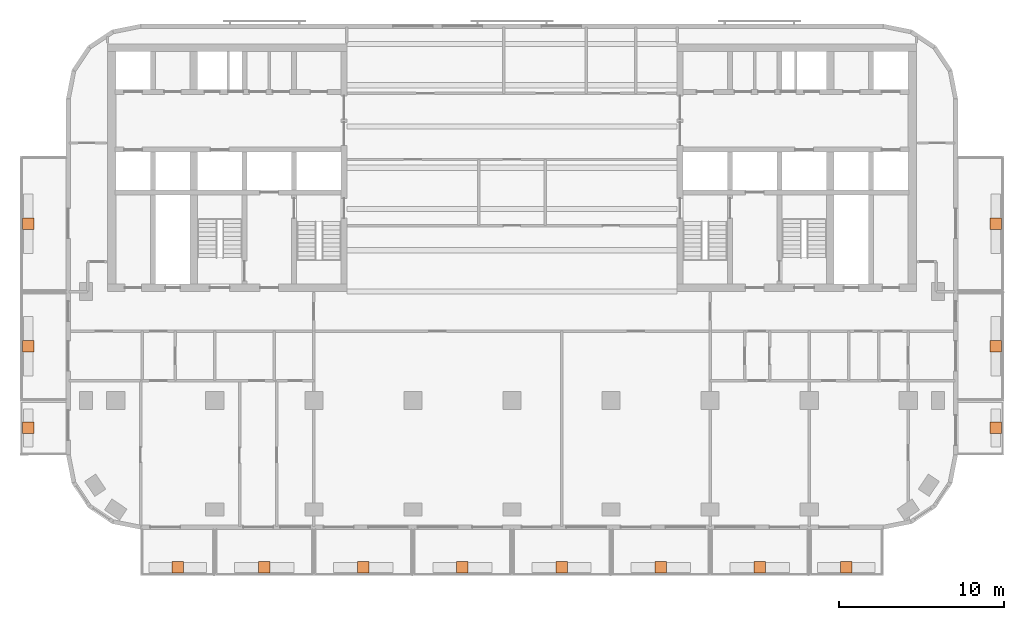
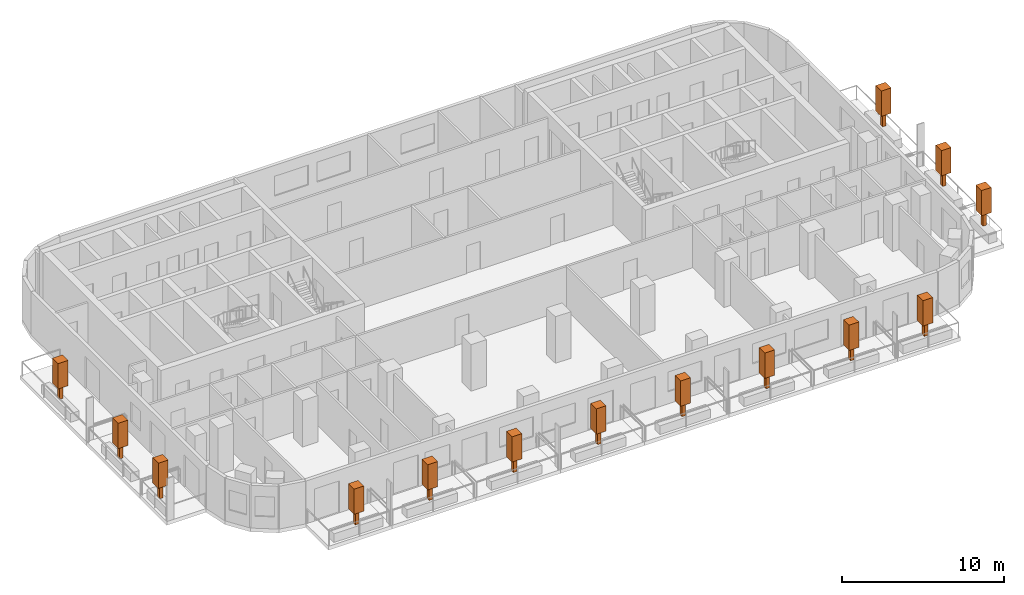
# One storey, part 11 of 11: 14 geographic elements.
"""IFC4 building model written with IfcOpenShell, lengths in metres."""

from ifc_helpers import new_model, si_unit, direction, frame, origin, origin_2d, place, context, subcontext, project, spatial, rectangle, extrude, material, element, save


model = new_model("IFC4")

# Units and contexts
model_context = context("Model", 3, precision=1e-05, world=origin(), true_north=direction((0.0, 1.0)))
body_context = subcontext(model_context, "Body", "Model", "MODEL_VIEW")
ifc_project = project(units=[si_unit("LENGTHUNIT", "METRE"), si_unit("AREAUNIT", "SQUARE_METRE"), si_unit("VOLUMEUNIT", "CUBIC_METRE"), si_unit("PLANEANGLEUNIT", "RADIAN"), si_unit("MASSUNIT", "GRAM", prefix="KILO")], contexts=[model_context])

# Site, building, storey
site_placement = place(None, origin())
site = spatial("IfcSite", under=ifc_project, at=site_placement, CompositionType="ELEMENT")
building_placement = place(site_placement, origin())
building = spatial("IfcBuilding", under=site, at=building_placement, Name="Torana Hotel and Residences", CompositionType="ELEMENT")
storey_placement = place(building_placement, frame((0.0, 0.0, 208.10009765625)))
storey = spatial("IfcBuildingStorey", under=building, at=storey_placement, Name="L54", CompositionType="ELEMENT", Elevation=208.10009765625)

# Geographic elements
ifc_material = material(Name="Foliage", Category="planting")
for number, where, z_axis, x_axis, name in (
    (1, (-20.25, -31.699951171875, 0.64990234375), (0.0, 0.0, 1.0), (1.0, 0.0, 0.0), "Tree 01"),
    (2, (-15.0, -31.699951171875, 0.64990234375), (0.0, 0.0, 1.0), (1.0, 0.0, 0.0), "Tree 02"),
    (3, (-9.0, -31.699951171875, 0.64990234375), (0.0, 0.0, 1.0), (1.0, 0.0, 0.0), "Tree 03"),
    (4, (-3.0, -31.699951171875, 0.64990234375), (0.0, 0.0, 1.0), (1.0, 0.0, 0.0), "Tree 04"),
    (5, (3.0, -31.699951171875, 0.64990234375), (0.0, 0.0, 1.0), (1.0, 0.0, 0.0), "Tree 05"),
    (6, (9.0, -31.699951171875, 0.64990234375), (0.0, 0.0, 1.0), (1.0, 0.0, 0.0), "Tree 06"),
    (7, (15.0, -31.699951171875, 0.64990234375), (0.0, 0.0, 1.0), (1.0, 0.0, 0.0), "Tree 07"),
    (8, (20.25, -31.699951171875, 0.64990234375), (0.0, 0.0, 1.0), (1.0, 0.0, 0.0), "Tree 08"),
    (9, (-29.300048828125, -23.25, 0.64990234375), (0.0, 0.0, 1.0), (1.0, 0.0, 0.0), "Tree 09"),
    (10, (-29.300048828125, -18.300048828125, 0.64990234375), (0.0, 0.0, 1.0), (1.0, 0.0, 0.0), "Tree 10"),
    (11, (-29.300048828125, -10.89990234375, 0.64990234375), (0.0, 0.0, 1.0), (1.0, 0.0, 0.0), "Tree 11"),
    (12, (29.300048828125, -23.25, 0.64990234375), (0.0, 0.0, 1.0), (1.0, 0.0, 0.0), "Tree 12"),
    (13, (29.300048828125, -18.300048828125, 0.64990234375), (0.0, 0.0, 1.0), (1.0, 0.0, 0.0), "Tree 13"),
    (14, (29.300048828125, -10.89990234375, 0.64990234375), (0.0, 0.0, 1.0), (1.0, 0.0, 0.0), "Tree 14"),
):
    element("IfcGeographicElement", number, at=place(storey_placement, frame(where, z_axis=z_axis, x_axis=x_axis)), inside=storey, material=ifc_material, Name=name, ObjectType="TREE", PredefinedType="USERDEFINED", context=body_context, shape_type="SweptSolid", body=[
        extrude(rectangle(XDim=0.25, YDim=0.25, at=origin_2d()), origin(), (0.0, 0.0, 1.0), 1.0),
        extrude(rectangle(XDim=0.699951171875, YDim=0.699951171875, at=origin_2d()), frame((0.0, 0.0, 1.0)), (0.0, 0.0, 1.0), 1.89990234375),
    ])

save(model, "model.ifc")
